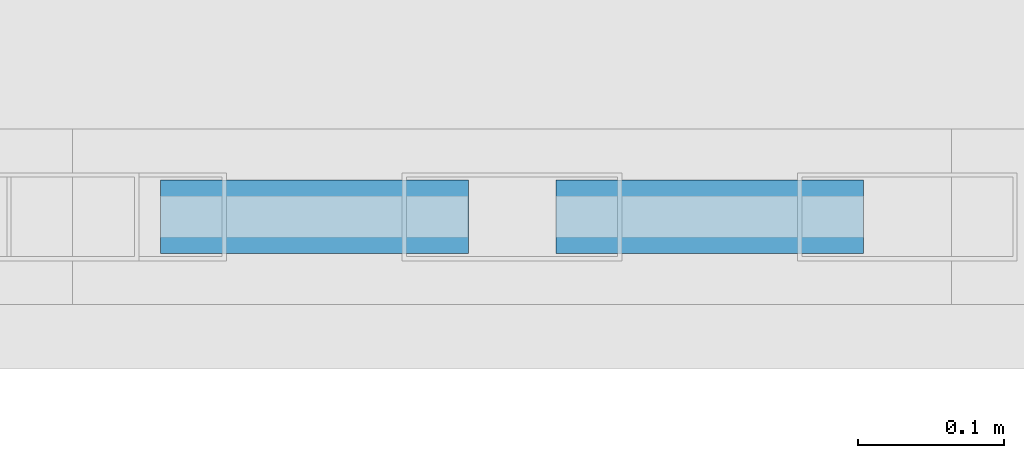
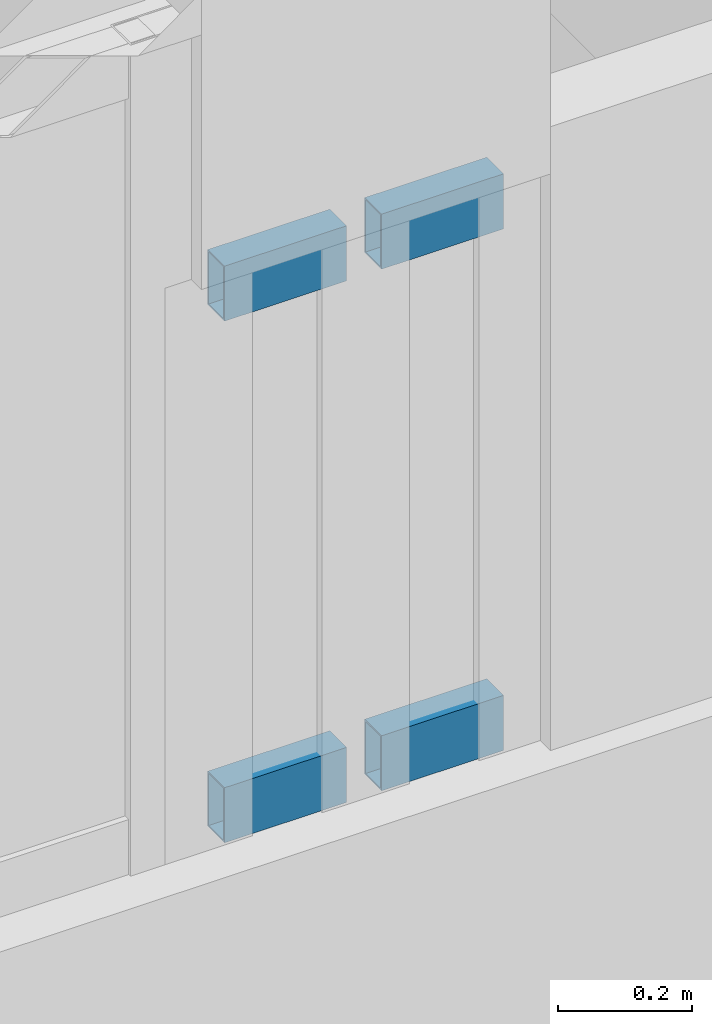
# One storey, part 43 of 103: 4 members, 1 element without a shape of its own.
"""IFC4 building model written with IfcOpenShell, lengths in metres."""

import ifcopenshell
import ifcopenshell.guid

model = None  # the IFC model being written
_history = None  # IfcOwnerHistory: only IFC2X3 demands one
_inside = {}  # id of a spatial element -> (the spatial element, [elements in it])
_under = {}  # id of a project, library or spatial element -> (it, [spatial elements below it])
_declared = {}  # id of a project -> (the project, [libraries it declares])
_typed = {}  # id of a type object -> (the type object, [elements of that type])
_made_of = {}  # id of a material, layer set ... -> (it, [elements and type objects made of it])


def new_model(schema):
    """Start an empty IFC model of exactly this schema.

    Asked for "IFC4X3", IfcOpenShell would pick the latest addendum, in which some entities
    have other attributes; the version numbers below select the first issue.
    IFC2X3 requires an IfcOwnerHistory on every rooted entity: one is made here for all.
    """
    global model, _history
    if schema == "IFC4X3":
        model = ifcopenshell.file(schema_version=(4, 3, 0, 0))
    else:
        model = ifcopenshell.file(schema=schema)
    _inside.clear()
    _under.clear()
    _declared.clear()
    _typed.clear()
    _made_of.clear()
    _history = None
    if model.schema == "IFC2X3":
        org = make("IfcOrganization", Name="unknown")
        user = make(
            "IfcPersonAndOrganization",
            ThePerson=make("IfcPerson", FamilyName="unknown"),
            TheOrganization=org,
        )
        app = make(
            "IfcApplication",
            ApplicationDeveloper=org,
            Version="unknown",
            ApplicationFullName="unknown",
            ApplicationIdentifier="unknown",
        )
        _history = make(
            "IfcOwnerHistory",
            OwningUser=user,
            OwningApplication=app,
            ChangeAction="ADDED",
            CreationDate=0,
        )
    return model


def make(cls, **values):
    """One entity of the class cls with the attributes given. An attribute that is None is left unset."""
    return model.create_entity(
        cls, **{name: value for name, value in values.items() if value is not None}
    )


def rooted(cls, **values):
    """An entity with a GlobalId (a new one), such as an element, a storey or a relation."""
    return make(cls, GlobalId=ifcopenshell.guid.new(), OwnerHistory=_history, **values)


def si_unit(unit_type, name, prefix=None):
    """IfcSIUnit, for example si_unit("LENGTHUNIT", "METRE", prefix="MILLI")."""
    return make("IfcSIUnit", UnitType=unit_type, Prefix=prefix, Name=name)


def assignment(units):
    """IfcUnitAssignment: the units of a project."""
    return None if units is None else make("IfcUnitAssignment", Units=units)


def point(xyz):
    """IfcCartesianPoint."""
    return None if xyz is None else make("IfcCartesianPoint", Coordinates=xyz)


def direction(xyz):
    """IfcDirection."""
    return None if xyz is None else make("IfcDirection", DirectionRatios=xyz)


def frame(location, z_axis=None, x_axis=None):
    """IfcAxis2Placement3D, a coordinate frame: its origin and axes. An axis left out is left unset."""
    return make(
        "IfcAxis2Placement3D",
        Location=point(location),
        Axis=direction(z_axis),
        RefDirection=direction(x_axis),
    )


def frame_2d(location, x_axis=None):
    """IfcAxis2Placement2D, a coordinate frame in the plane: its origin and x axis."""
    return make(
        "IfcAxis2Placement2D", Location=point(location), RefDirection=direction(x_axis)
    )


def origin():
    """The frame at (0, 0, 0) with its axes left unset."""
    return frame((0.0, 0.0, 0.0))


def origin_2d():
    """The frame at (0, 0) in the plane with its x axis left unset."""
    return frame_2d((0.0, 0.0))


def place(relative_to, where):
    """IfcLocalPlacement: puts the frame where relative to a parent placement (None: the world)."""
    return make(
        "IfcLocalPlacement", PlacementRelTo=relative_to, RelativePlacement=where
    )


def context(
    kind, dimensions, precision=None, world=None, true_north=None, identifier=None
):
    """IfcGeometricRepresentationContext, for example the 3D "Model" context."""
    return make(
        "IfcGeometricRepresentationContext",
        ContextIdentifier=identifier,
        ContextType=kind,
        CoordinateSpaceDimension=dimensions,
        Precision=precision,
        WorldCoordinateSystem=world,
        TrueNorth=true_north,
    )


def subcontext(parent, identifier, kind, view, scale=None):
    """IfcGeometricRepresentationSubContext, for example "Body" below "Model"."""
    return make(
        "IfcGeometricRepresentationSubContext",
        ContextIdentifier=identifier,
        ContextType=kind,
        ParentContext=parent,
        TargetScale=scale,
        TargetView=view,
    )


def project(units=None, contexts=None):
    """IfcProject with its units and contexts."""
    return rooted(
        "IfcProject",
        Name="project",
        RepresentationContexts=contexts,
        UnitsInContext=assignment(units),
    )


def spatial(cls, under=None, at=None, **own):
    """A site, building, storey or space (cls), placed at a placement, below another one or the project."""
    s = rooted(cls, ObjectPlacement=at, **own)
    if under is not None:
        _under.setdefault(under.id(), (under, []))[1].append(s)
    return s


def profile(cls, at=None, kind="AREA", **sizes):
    """A parametric profile (cls). Its sizes go by their IFC names, for example OverallWidth=200.0."""
    return make(cls, ProfileType=kind, Position=at, **sizes)


def hollow_rectangle(**sizes):
    """IfcRectangleHollowProfileDef."""
    return profile("IfcRectangleHollowProfileDef", **sizes)


def extrude(swept, where, along, depth):
    """IfcExtrudedAreaSolid: the profile swept, set in the frame where, extruded along a direction by depth."""
    return make(
        "IfcExtrudedAreaSolid",
        SweptArea=swept,
        Position=where,
        ExtrudedDirection=direction(along),
        Depth=depth,
    )


def shape(context_of_items, identifier, shape_type, items):
    """IfcShapeRepresentation: the items that make up one representation, for example the "Body"."""
    return make(
        "IfcShapeRepresentation",
        ContextOfItems=context_of_items,
        RepresentationIdentifier=identifier,
        RepresentationType=shape_type,
        Items=items,
    )


def material(Name=None, Category=None):
    """IfcMaterial."""
    return make("IfcMaterial", Name=Name, Category=Category)


def material_profile(
    of_material, cross_section, Name=None, Category=None, Priority=None
):
    """IfcMaterialProfile: a cross section and its material."""
    return make(
        "IfcMaterialProfile",
        Name=Name,
        Material=of_material,
        Profile=cross_section,
        Priority=Priority,
        Category=Category,
    )


def profile_set(profiles, Name=None, composite=None):
    """IfcMaterialProfileSet."""
    return make(
        "IfcMaterialProfileSet",
        Name=Name,
        MaterialProfiles=profiles,
        CompositeProfile=composite,
    )


def made_of(thing, what):
    """Note that an element or type object is made of a material, layer set ...; save() writes the relation."""
    if what is not None:
        _made_of.setdefault(what.id(), (what, []))[1].append(thing)
    return thing


def type_object(cls, material=None, **own):
    """A type object (cls), such as IfcWallType, which elements share."""
    return made_of(rooted(cls, **own), material)


def element(
    cls,
    number,
    at=None,
    inside=None,
    cuts=None,
    type_object=None,
    material=None,
    context=None,
    identifier="Body",
    shape_type=None,
    held_by="IfcProductDefinitionShape",
    body=None,
    shapes=None,
    **own,
):
    """One element of the class cls, such as IfcWall. Its Tag is "e" and its number.

    at: its placement. inside: the storey or other place that contains it. cuts: it is an
    opening in that element (IfcRelVoidsElement). A single representation is given by context,
    identifier, shape_type and body (its items); several are given by shapes. held_by: the class
    of the entity that holds the representations. save() writes the other relations.
    """
    e = rooted(cls, Tag="e%d" % number, ObjectPlacement=at, **own)
    if body is not None:
        shapes = [shape(context, identifier, shape_type, body)]
    if shapes is not None:
        e.Representation = make(held_by, Representations=shapes)
    if inside is not None:
        _inside.setdefault(inside.id(), (inside, []))[1].append(e)
    if cuts is not None:
        rooted(
            "IfcRelVoidsElement", RelatingBuildingElement=cuts, RelatedOpeningElement=e
        )
    if type_object is not None:
        _typed.setdefault(type_object.id(), (type_object, []))[1].append(e)
    return made_of(e, material)


def aggregate(whole, parts):
    """IfcRelAggregates: a whole, such as a stair, and the parts it consists of."""
    return rooted("IfcRelAggregates", RelatingObject=whole, RelatedObjects=parts)


def save(model, path):
    """Write the relations noted so far, then the file.

    IfcRelAggregates (storeys below a building ...), IfcRelContainedInSpatialStructure (elements
    in a storey), IfcRelDefinesByType, IfcRelAssociatesMaterial and IfcRelDeclares: one each for
    every whole, place, type object, material and project.
    """
    for whole, parts in _under.values():
        aggregate(whole, parts)
    for where, things in _inside.values():
        rooted(
            "IfcRelContainedInSpatialStructure",
            RelatedElements=things,
            RelatingStructure=where,
        )
    for kind, things in _typed.values():
        rooted("IfcRelDefinesByType", RelatedObjects=things, RelatingType=kind)
    for what, things in _made_of.values():
        rooted("IfcRelAssociatesMaterial", RelatedObjects=things, RelatingMaterial=what)
    for by, libraries in _declared.values():
        rooted("IfcRelDeclares", RelatingContext=by, RelatedDefinitions=libraries)
    model.write(path)


model = new_model("IFC4")

# Units and contexts
model_context = context("Model", 3, precision=1e-05, world=origin(), true_north=direction((0.0, 1.0)))
body_context = subcontext(model_context, "Body", "Model", "MODEL_VIEW")
ifc_project = project(units=[si_unit("LENGTHUNIT", "METRE"), si_unit("AREAUNIT", "SQUARE_METRE"), si_unit("VOLUMEUNIT", "CUBIC_METRE"), si_unit("PLANEANGLEUNIT", "RADIAN"), si_unit("MASSUNIT", "GRAM", prefix="KILO")], contexts=[model_context])

# Site, building, storey
site_placement = place(None, origin())
site = spatial("IfcSite", under=ifc_project, at=site_placement, CompositionType="ELEMENT")
building_placement = place(site_placement, origin())
building = spatial("IfcBuilding", under=site, at=building_placement, Name="Laocheng Heights Fire and Rescue Headquarters", CompositionType="ELEMENT")
storey_placement = place(building_placement, frame((0.0, 0.0, 4.199951171875)))
storey = spatial("IfcBuildingStorey", under=building, at=storey_placement, Name="L01", CompositionType="ELEMENT", Elevation=4.199951171875)

# Curtain wall, members
ifc_material_1 = material(Name="Aluminium gable glazing, low-e double glazing", Category="aluminium")
curtain_wall_type = type_object("IfcCurtainWallType", Name="GABLE GLAZED UNIT 600 x 1049", PredefinedType="NOTDEFINED", material=ifc_material_1)
curtain_wall_placement = place(storey_placement, origin())
curtain_wall = element("IfcCurtainWall", 1, at=curtain_wall_placement, inside=storey, type_object=curtain_wall_type, Name="Gable glazing S30", PredefinedType="NOTDEFINED")
ifc_material_2 = material(Name="Aluminium 6063-T5 extrusion", Category="aluminium")
ifc_material_profile = material_profile(ifc_material_2, hollow_rectangle(XDim=0.050048828125, YDim=0.10009765625, WallThickness=0.0029296875, at=origin_2d()), Name="AL TRANSOM 100x50x3")
ifc_profile_set = profile_set([ifc_material_profile], Name="Aluminium 6063-T5 extrusion")
member_type = type_object("IfcMemberType", Name="AL GABLE TRANSOM 100x50x3", PredefinedType="USERDEFINED", material=ifc_profile_set)
member_1_placement = place(storey_placement, frame((51.659912109375, -0.196533203125, 4.140625), z_axis=(1.0, 0.0, 0.0), x_axis=(0.0, 1.0, 0.0)))
member_1 = element("IfcMember", 2, at=member_1_placement, type_object=member_type, Name="X2-D transom 1.1", ObjectType="TRANSOM", PredefinedType="USERDEFINED", context=body_context, shape_type="SweptSolid", body=[
    extrude(hollow_rectangle(XDim=0.050048828125, YDim=0.10009765625, WallThickness=0.0029296875, at=origin_2d()), origin(), (0.0, 0.0, 1.0), 0.210205078125),
])
member_2_placement = place(storey_placement, frame((51.659912109375, -0.196533203125, 5.089111328125), z_axis=(1.0, 0.0, 0.0), x_axis=(0.0, 1.0, 0.0)))
member_2 = element("IfcMember", 3, at=member_2_placement, type_object=member_type, Name="X2-D transom 1.2", ObjectType="TRANSOM", PredefinedType="USERDEFINED", context=body_context, shape_type="SweptSolid", body=[
    extrude(hollow_rectangle(XDim=0.050048828125, YDim=0.10009765625, WallThickness=0.0029296875, at=origin_2d()), origin(), (0.0, 0.0, 1.0), 0.210205078125),
])
member_3_placement = place(storey_placement, frame((51.929931640625, -0.196533203125, 4.140625), z_axis=(1.0, 0.0, 0.0), x_axis=(0.0, 1.0, 0.0)))
member_3 = element("IfcMember", 4, at=member_3_placement, type_object=member_type, Name="X2-D transom 2.1", ObjectType="TRANSOM", PredefinedType="USERDEFINED", context=body_context, shape_type="SweptSolid", body=[
    extrude(hollow_rectangle(XDim=0.050048828125, YDim=0.10009765625, WallThickness=0.0029296875, at=origin_2d()), origin(), (0.0, 0.0, 1.0), 0.2099609375),
])
member_4_placement = place(storey_placement, frame((51.929931640625, -0.196533203125, 5.089111328125), z_axis=(1.0, 0.0, 0.0), x_axis=(0.0, 1.0, 0.0)))
member_4 = element("IfcMember", 5, at=member_4_placement, type_object=member_type, Name="X2-D transom 2.2", ObjectType="TRANSOM", PredefinedType="USERDEFINED", context=body_context, shape_type="SweptSolid", body=[
    extrude(hollow_rectangle(XDim=0.050048828125, YDim=0.10009765625, WallThickness=0.0029296875, at=origin_2d()), origin(), (0.0, 0.0, 1.0), 0.2099609375),
])
aggregate(curtain_wall, [member_1, member_2, member_3, member_4])

save(model, "model.ifc")
